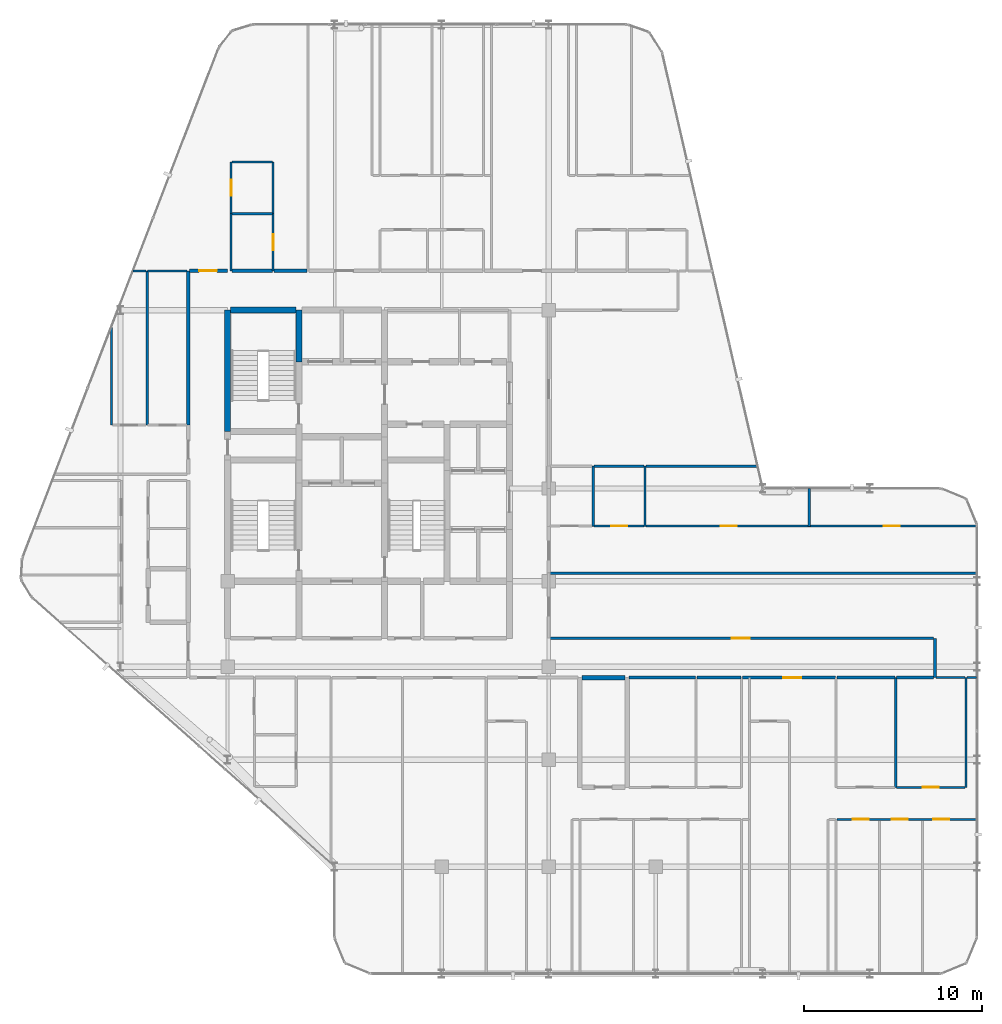
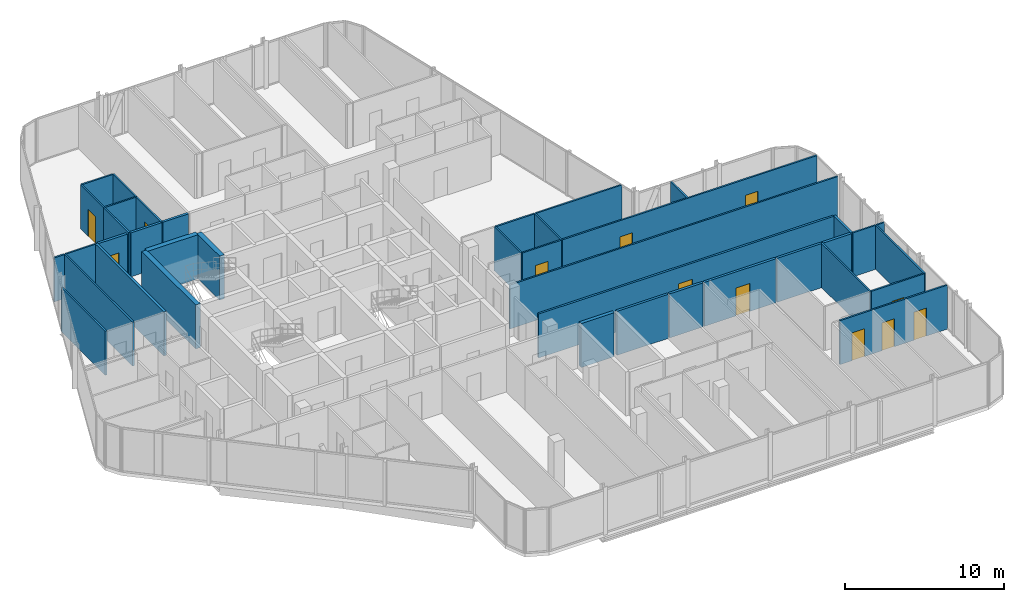
# One storey, part 26 of 29: 39 walls, 12 doors, 12 openings.
"""IFC4 building model written with IfcOpenShell, lengths in metres."""

from ifc_helpers import new_model, si_unit, direction, frame, frame_2d, origin, place, context, subcontext, project, spatial, rectangle, extrude, material, layer, layer_set, type_object, element, fill, save


model = new_model("IFC4")

# Units and contexts
model_context = context("Model", 3, precision=1e-05, world=origin(), true_north=direction((0.0, 1.0)))
body_context = subcontext(model_context, "Body", "Model", "MODEL_VIEW")
ifc_project = project(units=[si_unit("LENGTHUNIT", "METRE"), si_unit("AREAUNIT", "SQUARE_METRE"), si_unit("VOLUMEUNIT", "CUBIC_METRE"), si_unit("PLANEANGLEUNIT", "RADIAN"), si_unit("MASSUNIT", "GRAM", prefix="KILO")], contexts=[model_context])

# Site, building, storey
site_placement = place(None, origin())
site = spatial("IfcSite", under=ifc_project, at=site_placement, CompositionType="ELEMENT")
building_placement = place(site_placement, origin())
building = spatial("IfcBuilding", under=site, at=building_placement, Name="Keshet Zoharim Tower", CompositionType="ELEMENT")
storey_placement = place(building_placement, frame((0.0, 0.0, 210.60009765625)))
storey = spatial("IfcBuildingStorey", under=building, at=storey_placement, Name="L52", CompositionType="ELEMENT", Elevation=210.60009765625)

# Wall
ifc_material_1 = material(Name="Gypsum Plasterboard", Category="gypsum")
ifc_layer_1 = layer(ifc_material_1, 0.14990234375)
ifc_layer_set_1 = layer_set([ifc_layer_1], Name="Gypsum Plasterboard")
wall_type_1 = type_object("IfcWallType", Name="WL-CLIN-150", PredefinedType="STANDARD", material=ifc_layer_set_1)
wall_1_placement = place(storey_placement, frame((54.64990234375, 17.31005859375, 0.0), z_axis=(0.0, 0.0, 1.0), x_axis=(0.0, 1.0, 0.0)))
element("IfcWall", 1, at=wall_1_placement, inside=storey, type_object=wall_type_1, Name="L52 Interior Wall 100", PredefinedType="STANDARD", context=body_context, shape_type="SweptSolid", body=[
    extrude(rectangle(XDim=2.18994140625, YDim=0.14990234375, at=frame_2d((1.094970703125, 0.0))), origin(), (0.0, 0.0, 1.0), 3.389892578125),
])

# Wall, opening, door
wall_2_placement = place(storey_placement, frame((33.070068359375, 19.5, 0.0), z_axis=(0.0, 0.0, 1.0), x_axis=(1.0, 0.0, 0.0)))
wall_2 = element("IfcWall", 2, at=wall_2_placement, inside=storey, type_object=wall_type_1, Name="L52 Interior Wall 135", PredefinedType="STANDARD", context=body_context, shape_type="SweptSolid", body=[
    extrude(rectangle(XDim=21.510009765625, YDim=0.14990234375, at=frame_2d((10.7548828125, 0.0))), origin(), (0.0, 0.0, 1.0), 3.389892578125),
])
opening_1_placement = place(wall_2_placement, frame((10.18505859375, 0.0, 0.0)))
opening_1 = element("IfcOpeningElement", 3, at=opening_1_placement, cuts=wall_2, Name="Opening D-F310", PredefinedType="OPENING", context=body_context, shape_type="SweptSolid", body=[
    extrude(rectangle(XDim=1.0, YDim=2.14990234375, at=frame_2d((0.5, 1.074951171875))), frame((0.0, 0.0849609375, 0.0), z_axis=(0.0, -1.0, 0.0), x_axis=(1.0, 0.0, 0.0)), (0.0, 0.0, 1.0), 0.169921875),
])
ifc_material_2 = material(Name="Hardwood Timber", Category="wood")
door_type_1 = type_object("IfcDoorType", Name="DR-FD30-100", OperationType="NOTDEFINED", PredefinedType="DOOR", material=ifc_material_2)
door_1_placement = place(opening_1_placement, origin())
door_1 = element("IfcDoor", 4, at=door_1_placement, inside=storey, type_object=door_type_1, Name="L52 South East Residents Services Suite Door 1", OperationType="SINGLE_SWING_LEFT", OverallHeight=2.14990234375, OverallWidth=1.0, PredefinedType="DOOR", context=body_context, shape_type="SweptSolid", body=[
    extrude(rectangle(XDim=1.0, YDim=2.14990234375, at=frame_2d((0.5, 1.074951171875))), frame((0.0, 0.02490234375, 0.0), z_axis=(0.0, -1.0, 0.0), x_axis=(1.0, 0.0, 0.0)), (0.0, 0.0, 1.0), 0.050048828125),
])
fill(opening_1, door_1)

# Walls
ifc_material_3 = material(Name="Concrete C60/75", Category="concrete")
ifc_layer_2 = layer(ifc_material_3, 0.35009765625)
ifc_layer_set_2 = layer_set([ifc_layer_2], Name="Concrete C60/75")
wall_type_2 = type_object("IfcWallType", Name="WL-CORE-350", PredefinedType="SHEAR", material=ifc_layer_set_2)
wall_3_placement = place(storey_placement, frame((15.0, 31.10009765625, 0.0), z_axis=(0.0, 0.0, 1.0), x_axis=(0.0, 1.0, 0.0)))
element("IfcWall", 5, at=wall_3_placement, inside=storey, type_object=wall_type_2, Name="L52 Core Shear Wall 016", PredefinedType="SHEAR", context=body_context, shape_type="SweptSolid", body=[
    extrude(rectangle(XDim=6.7998046875, YDim=0.35009765625, at=frame_2d((3.39990234375, 0.0))), origin(), (0.0, 0.0, 1.0), 3.389892578125),
])
wall_4_placement = place(storey_placement, frame((19.0, 35.0, 0.0), z_axis=(0.0, 0.0, 1.0), x_axis=(0.0, 1.0, 0.0)))
element("IfcWall", 6, at=wall_4_placement, inside=storey, type_object=wall_type_2, Name="L52 Core Shear Wall 029", PredefinedType="SHEAR", context=body_context, shape_type="SweptSolid", body=[
    extrude(rectangle(XDim=2.89990234375, YDim=0.35009765625, at=frame_2d((1.449951171875, 0.0))), origin(), (0.0, 0.0, 1.0), 3.389892578125),
])
wall_5_placement = place(storey_placement, frame((15.159912109375, 37.89990234375, 0.0), z_axis=(0.0, 0.0, 1.0), x_axis=(1.0, 0.0, 0.0)))
element("IfcWall", 7, at=wall_5_placement, inside=storey, type_object=wall_type_2, Name="L52 Core Shear Wall 173", PredefinedType="SHEAR", context=body_context, shape_type="SweptSolid", body=[
    extrude(rectangle(XDim=3.68017578125, YDim=0.35009765625, at=frame_2d((1.840087890625, 0.0))), origin(), (0.0, 0.0, 1.0), 3.389892578125),
])
ifc_layer_3 = layer(ifc_material_1, 0.179931640625)
ifc_layer_set_3 = layer_set([ifc_layer_3], Name="Gypsum Plasterboard")
wall_type_3 = type_object("IfcWallType", Name="WL-CORR-180", PredefinedType="STANDARD", material=ifc_layer_set_3)
wall_6_placement = place(storey_placement, frame((12.800048828125, 31.449951171875, 0.0), z_axis=(0.0, 0.0, 1.0), x_axis=(0.0, 1.0, 0.0)))
element("IfcWall", 8, at=wall_6_placement, inside=storey, type_object=wall_type_3, Name="L52 Interior Wall 012", PredefinedType="STANDARD", context=body_context, shape_type="SweptSolid", body=[
    extrude(rectangle(XDim=8.650146484375, YDim=0.179931640625, at=frame_2d((4.3251953125, 0.0))), origin(), (0.0, 0.0, 1.0), 3.389892578125),
])
wall_7_placement = place(storey_placement, frame((37.487060546875, 17.300048828125, 0.0), z_axis=(0.0, 0.0, 1.0), x_axis=(1.0, 0.0, 0.0)))
element("IfcWall", 9, at=wall_7_placement, inside=storey, type_object=wall_type_3, Name="L52 Interior Wall 124", PredefinedType="STANDARD", context=body_context, shape_type="SweptSolid", body=[
    extrude(rectangle(XDim=3.740966796875, YDim=0.179931640625, at=frame_2d((1.87060546875, 0.0))), origin(), (0.0, 0.0, 1.0), 3.389892578125),
])
wall_8_placement = place(storey_placement, frame((41.318115234375, 17.300048828125, 0.0), z_axis=(0.0, 0.0, 1.0), x_axis=(1.0, 0.0, 0.0)))
element("IfcWall", 10, at=wall_8_placement, inside=storey, type_object=wall_type_3, Name="L52 Interior Wall 125", PredefinedType="STANDARD", context=body_context, shape_type="SweptSolid", body=[
    extrude(rectangle(XDim=2.44677734375, YDim=0.179931640625, at=frame_2d((1.223388671875, 0.0))), origin(), (0.0, 0.0, 1.0), 3.389892578125),
])

# Wall, opening, door
wall_9_placement = place(storey_placement, frame((43.85498046875, 17.300048828125, 0.0), z_axis=(0.0, 0.0, 1.0), x_axis=(1.0, 0.0, 0.0)))
wall_9 = element("IfcWall", 11, at=wall_9_placement, inside=storey, type_object=wall_type_3, Name="L52 Interior Wall 126", PredefinedType="STANDARD", context=body_context, shape_type="SweptSolid", body=[
    extrude(rectangle(XDim=5.2099609375, YDim=0.179931640625, at=frame_2d((2.60498046875, 0.0))), origin(), (0.0, 0.0, 1.0), 3.389892578125),
])
opening_2_placement = place(wall_9_placement, frame((2.304931640625, 0.0, 0.0)))
opening_2 = element("IfcOpeningElement", 12, at=opening_2_placement, cuts=wall_9, Name="Opening D-F310", PredefinedType="OPENING", context=body_context, shape_type="SweptSolid", body=[
    extrude(rectangle(XDim=1.0, YDim=2.14990234375, at=frame_2d((0.5, 1.074951171875))), frame((0.0, 0.10009765625, 0.0), z_axis=(0.0, -1.0, 0.0), x_axis=(1.0, 0.0, 0.0)), (0.0, 0.0, 1.0), 0.199951171875),
])
door_2_placement = place(opening_2_placement, origin())
door_2 = element("IfcDoor", 13, at=door_2_placement, inside=storey, type_object=door_type_1, Name="Apartment 5203 Entrance Door", OperationType="SINGLE_SWING_RIGHT", OverallHeight=2.14990234375, OverallWidth=1.0, PredefinedType="DOOR", context=body_context, shape_type="SweptSolid", body=[
    extrude(rectangle(XDim=1.0, YDim=2.14990234375, at=frame_2d((0.5, 1.074951171875))), frame((0.0, 0.02490234375, 0.0), z_axis=(0.0, -1.0, 0.0), x_axis=(1.0, 0.0, 0.0)), (0.0, 0.0, 1.0), 0.050048828125),
])
fill(opening_2, door_2)

# Walls
wall_10_placement = place(storey_placement, frame((49.155029296875, 17.300048828125, 0.0), z_axis=(0.0, 0.0, 1.0), x_axis=(1.0, 0.0, 0.0)))
element("IfcWall", 14, at=wall_10_placement, inside=storey, type_object=wall_type_3, Name="L52 Interior Wall 127", PredefinedType="STANDARD", context=body_context, shape_type="SweptSolid", body=[
    extrude(rectangle(XDim=3.259033203125, YDim=0.179931640625, at=frame_2d((1.62939453125, 0.0))), origin(), (0.0, 0.0, 1.0), 3.389892578125),
])
wall_11_placement = place(storey_placement, frame((52.50390625, 17.300048828125, 0.0), z_axis=(0.0, 0.0, 1.0), x_axis=(1.0, 0.0, 0.0)))
element("IfcWall", 15, at=wall_11_placement, inside=storey, type_object=wall_type_3, Name="L52 Interior Wall 128", PredefinedType="STANDARD", context=body_context, shape_type="SweptSolid", body=[
    extrude(rectangle(XDim=2.076171875, YDim=0.179931640625, at=frame_2d((1.0380859375, 0.0))), origin(), (0.0, 0.0, 1.0), 3.389892578125),
])

# Wall, opening, door
wall_12_placement = place(storey_placement, frame((12.875, 40.10009765625, 0.0), z_axis=(0.0, 0.0, 1.0), x_axis=(1.0, 0.0, 0.0)))
wall_12 = element("IfcWall", 16, at=wall_12_placement, inside=storey, type_object=wall_type_3, Name="L52 Interior Wall 180", PredefinedType="STANDARD", context=body_context, shape_type="SweptSolid", body=[
    extrude(rectangle(XDim=2.125, YDim=0.179931640625, at=frame_2d((1.0625, 0.0))), origin(), (0.0, 0.0, 1.0), 3.389892578125),
])
opening_3_placement = place(wall_12_placement, frame((0.52490234375, 0.0, 0.0)))
opening_3 = element("IfcOpeningElement", 17, at=opening_3_placement, cuts=wall_12, Name="Opening D-F310", PredefinedType="OPENING", context=body_context, shape_type="SweptSolid", body=[
    extrude(rectangle(XDim=1.0, YDim=2.14990234375, at=frame_2d((0.5, 1.074951171875))), frame((0.0, 0.10009765625, 0.0), z_axis=(0.0, -1.0, 0.0), x_axis=(1.0, 0.0, 0.0)), (0.0, 0.0, 1.0), 0.199951171875),
])
door_3_placement = place(opening_3_placement, origin())
door_3 = element("IfcDoor", 18, at=door_3_placement, inside=storey, type_object=door_type_1, Name="Apartment 5204 Entrance Door", OperationType="SINGLE_SWING_LEFT", OverallHeight=2.14990234375, OverallWidth=1.0, PredefinedType="DOOR", context=body_context, shape_type="SweptSolid", body=[
    extrude(rectangle(XDim=1.0, YDim=2.14990234375, at=frame_2d((0.5, 1.074951171875))), frame((0.0, 0.02490234375, 0.0), z_axis=(0.0, -1.0, 0.0), x_axis=(1.0, 0.0, 0.0)), (0.0, 0.0, 1.0), 0.050048828125),
])
fill(opening_3, door_3)

# Walls
wall_13_placement = place(storey_placement, frame((15.2451171875, 40.10009765625, 0.0), z_axis=(0.0, 0.0, 1.0), x_axis=(1.0, 0.0, 0.0)))
element("IfcWall", 19, at=wall_13_placement, inside=storey, type_object=wall_type_3, Name="L52 Interior Wall 181", PredefinedType="STANDARD", context=body_context, shape_type="SweptSolid", body=[
    extrude(rectangle(XDim=2.259765625, YDim=0.179931640625, at=frame_2d((1.1298828125, 0.0))), origin(), (0.0, 0.0, 1.0), 3.389892578125),
])
wall_14_placement = place(storey_placement, frame((17.594970703125, 40.10009765625, 0.0), z_axis=(0.0, 0.0, 1.0), x_axis=(1.0, 0.0, 0.0)))
element("IfcWall", 20, at=wall_14_placement, inside=storey, type_object=wall_type_3, Name="L52 Interior Wall 182", PredefinedType="STANDARD", context=body_context, shape_type="SweptSolid", body=[
    extrude(rectangle(XDim=1.8701171875, YDim=0.179931640625, at=frame_2d((0.93505859375, 0.0))), origin(), (0.0, 0.0, 1.0), 3.389892578125),
])
ifc_material_4 = material(Name="Concrete C50/60", Category="concrete")
ifc_layer_4 = layer(ifc_material_4, 0.25)
ifc_layer_set_4 = layer_set([ifc_layer_4], Name="Concrete C50/60")
wall_type_4 = type_object("IfcWallType", Name="WL-MAMAD-250", PredefinedType="STANDARD", material=ifc_layer_set_4)
wall_15_placement = place(storey_placement, frame((34.860107421875, 17.300048828125, 0.0), z_axis=(0.0, 0.0, 1.0), x_axis=(1.0, 0.0, 0.0)))
element("IfcWall", 21, at=wall_15_placement, inside=storey, type_object=wall_type_4, Name="L52 Interior Wall 123", PredefinedType="STANDARD", context=body_context, shape_type="SweptSolid", body=[
    extrude(rectangle(XDim=2.406982421875, YDim=0.25, at=frame_2d((1.20361328125, 0.0))), origin(), (0.0, 0.0, 1.0), 3.389892578125),
])
ifc_layer_5 = layer(ifc_material_1, 0.1201171875)
ifc_layer_set_5 = layer_set([ifc_layer_5], Name="Gypsum Plasterboard")
wall_type_5 = type_object("IfcWallType", Name="WL-PART-120", PredefinedType="PARTITIONING", material=ifc_layer_set_5)
wall_16_placement = place(storey_placement, frame((8.5, 31.449951171875, 0.0), z_axis=(0.0, 0.0, 1.0), x_axis=(0.0, 1.0, 0.0)))
element("IfcWall", 22, at=wall_16_placement, inside=storey, type_object=wall_type_5, Name="L52 Interior Wall 001", PredefinedType="PARTITIONING", context=body_context, shape_type="SweptSolid", body=[
    extrude(rectangle(XDim=5.5400390625, YDim=0.1201171875, at=frame_2d((2.77001953125, 0.0))), origin(), (0.0, 0.0, 1.0), 3.389892578125),
])
wall_17_placement = place(storey_placement, frame((15.199951171875, 40.10009765625, 0.0), z_axis=(0.0, 0.0, 1.0), x_axis=(0.0, 1.0, 0.0)))
element("IfcWall", 23, at=wall_17_placement, inside=storey, type_object=wall_type_5, Name="L52 Interior Wall 017", PredefinedType="PARTITIONING", context=body_context, shape_type="SweptSolid", body=[
    extrude(rectangle(XDim=3.199951171875, YDim=0.1201171875, at=frame_2d((1.60009765625, 0.0))), origin(), (0.0, 0.0, 1.0), 3.389892578125),
])

# Wall, opening, door
wall_18_placement = place(storey_placement, frame((17.550048828125, 40.10009765625, 0.0), z_axis=(0.0, 0.0, 1.0), x_axis=(0.0, 1.0, 0.0)))
wall_18 = element("IfcWall", 24, at=wall_18_placement, inside=storey, type_object=wall_type_5, Name="L52 Interior Wall 021", PredefinedType="PARTITIONING", context=body_context, shape_type="SweptSolid", body=[
    extrude(rectangle(XDim=3.199951171875, YDim=0.1201171875, at=frame_2d((1.60009765625, 0.0))), origin(), (0.0, 0.0, 1.0), 3.389892578125),
])
opening_4_placement = place(wall_18_placement, frame((1.14990234375, 0.0, 0.0)))
opening_4 = element("IfcOpeningElement", 25, at=opening_4_placement, cuts=wall_18, Name="Opening D-IN90", PredefinedType="OPENING", context=body_context, shape_type="SweptSolid", body=[
    extrude(rectangle(XDim=0.89990234375, YDim=2.14990234375, at=frame_2d((0.449951171875, 1.074951171875))), frame((0.0, 0.070068359375, 0.0), z_axis=(0.0, -1.0, 0.0), x_axis=(1.0, 0.0, 0.0)), (0.0, 0.0, 1.0), 0.14013671875),
])
door_type_2 = type_object("IfcDoorType", Name="DR-INT-090", OperationType="NOTDEFINED", PredefinedType="DOOR", material=ifc_material_2)
door_4_placement = place(opening_4_placement, origin())
door_4 = element("IfcDoor", 26, at=door_4_placement, inside=storey, type_object=door_type_2, Name="Apartment 5204 Kitchenette Door", OperationType="SINGLE_SWING_RIGHT", OverallHeight=2.14990234375, OverallWidth=0.89990234375, PredefinedType="DOOR", context=body_context, shape_type="SweptSolid", body=[
    extrude(rectangle(XDim=0.89990234375, YDim=2.14990234375, at=frame_2d((0.449951171875, 1.074951171875))), frame((0.0, 0.02490234375, 0.0), z_axis=(0.0, -1.0, 0.0), x_axis=(1.0, 0.0, 0.0)), (0.0, 0.0, 1.0), 0.050048828125),
])
fill(opening_4, door_4)

# Wall
wall_19_placement = place(storey_placement, frame((47.60009765625, 25.780029296875, 0.0), z_axis=(0.0, 0.0, 1.0), x_axis=(0.0, 1.0, 0.0)))
element("IfcWall", 27, at=wall_19_placement, inside=storey, type_object=wall_type_5, Name="L52 Interior Wall 093", PredefinedType="PARTITIONING", context=body_context, shape_type="SweptSolid", body=[
    extrude(rectangle(XDim=2.10986328125, YDim=0.1201171875, at=frame_2d((1.054931640625, 0.0))), origin(), (0.0, 0.0, 1.0), 3.389892578125),
])

# Wall, openings, doors
wall_20_placement = place(storey_placement, frame((49.155029296875, 9.35009765625, 0.0), z_axis=(0.0, 0.0, 1.0), x_axis=(1.0, 0.0, 0.0)))
wall_20 = element("IfcWall", 28, at=wall_20_placement, inside=storey, type_object=wall_type_5, Name="L52 Interior Wall 106", PredefinedType="PARTITIONING", context=body_context, shape_type="SweptSolid", body=[
    extrude(rectangle(XDim=7.8349609375, YDim=0.1201171875, at=frame_2d((3.91748046875, 0.0))), origin(), (0.0, 0.0, 1.0), 3.389892578125),
])
opening_5_placement = place(wall_20_placement, frame((0.89306640625, 0.0, 0.0)))
opening_5 = element("IfcOpeningElement", 29, at=opening_5_placement, cuts=wall_20, Name="Opening D-IN90", PredefinedType="OPENING", context=body_context, shape_type="SweptSolid", body=[
    extrude(rectangle(XDim=0.89990234375, YDim=2.14990234375, at=frame_2d((0.449951171875, 1.074951171875))), frame((0.0, 0.070068359375, 0.0), z_axis=(0.0, -1.0, 0.0), x_axis=(1.0, 0.0, 0.0)), (0.0, 0.0, 1.0), 0.14013671875),
])
opening_6_placement = place(wall_20_placement, frame((3.072021484375, 0.0, 0.0)))
opening_6 = element("IfcOpeningElement", 30, at=opening_6_placement, cuts=wall_20, Name="Opening D-IN90", PredefinedType="OPENING", context=body_context, shape_type="SweptSolid", body=[
    extrude(rectangle(XDim=0.89990234375, YDim=2.14990234375, at=frame_2d((0.449951171875, 1.074951171875))), frame((0.0, 0.070068359375, 0.0), z_axis=(0.0, -1.0, 0.0), x_axis=(1.0, 0.0, 0.0)), (0.0, 0.0, 1.0), 0.14013671875),
])
opening_7_placement = place(wall_20_placement, frame((5.39697265625, 0.0, 0.0)))
opening_7 = element("IfcOpeningElement", 31, at=opening_7_placement, cuts=wall_20, Name="Opening D-IN90", PredefinedType="OPENING", context=body_context, shape_type="SweptSolid", body=[
    extrude(rectangle(XDim=0.89990234375, YDim=2.14990234375, at=frame_2d((0.449951171875, 1.074951171875))), frame((0.0, 0.070068359375, 0.0), z_axis=(0.0, -1.0, 0.0), x_axis=(1.0, 0.0, 0.0)), (0.0, 0.0, 1.0), 0.14013671875),
])
door_5_placement = place(opening_5_placement, origin())
door_5 = element("IfcDoor", 32, at=door_5_placement, inside=storey, type_object=door_type_2, Name="Apartment 5203 Bedroom 1 Door", OperationType="SINGLE_SWING_RIGHT", OverallHeight=2.14990234375, OverallWidth=0.89990234375, PredefinedType="DOOR", context=body_context, shape_type="SweptSolid", body=[
    extrude(rectangle(XDim=0.89990234375, YDim=2.14990234375, at=frame_2d((0.449951171875, 1.074951171875))), frame((0.0, 0.02490234375, 0.0), z_axis=(0.0, -1.0, 0.0), x_axis=(1.0, 0.0, 0.0)), (0.0, 0.0, 1.0), 0.050048828125),
])
fill(opening_5, door_5)
door_6_placement = place(opening_6_placement, origin())
door_6 = element("IfcDoor", 33, at=door_6_placement, inside=storey, type_object=door_type_2, Name="Apartment 5203 Bedroom 2 Door", OperationType="SINGLE_SWING_LEFT", OverallHeight=2.14990234375, OverallWidth=0.89990234375, PredefinedType="DOOR", context=body_context, shape_type="SweptSolid", body=[
    extrude(rectangle(XDim=0.89990234375, YDim=2.14990234375, at=frame_2d((0.449951171875, 1.074951171875))), frame((0.0, 0.02490234375, 0.0), z_axis=(0.0, -1.0, 0.0), x_axis=(1.0, 0.0, 0.0)), (0.0, 0.0, 1.0), 0.050048828125),
])
fill(opening_6, door_6)
door_7_placement = place(opening_7_placement, origin())
door_7 = element("IfcDoor", 34, at=door_7_placement, inside=storey, type_object=door_type_2, Name="Apartment 5203 Bedroom 3 Door", OperationType="SINGLE_SWING_RIGHT", OverallHeight=2.14990234375, OverallWidth=0.89990234375, PredefinedType="DOOR", context=body_context, shape_type="SweptSolid", body=[
    extrude(rectangle(XDim=0.89990234375, YDim=2.14990234375, at=frame_2d((0.449951171875, 1.074951171875))), frame((0.0, 0.02490234375, 0.0), z_axis=(0.0, -1.0, 0.0), x_axis=(1.0, 0.0, 0.0)), (0.0, 0.0, 1.0), 0.050048828125),
])
fill(opening_7, door_7)

# Walls
wall_21_placement = place(storey_placement, frame((56.43505859375, 17.300048828125, 0.0), z_axis=(0.0, 0.0, 1.0), x_axis=(1.0, 0.0, 0.0)))
element("IfcWall", 35, at=wall_21_placement, inside=storey, type_object=wall_type_5, Name="L52 Interior Wall 130", PredefinedType="PARTITIONING", context=body_context, shape_type="SweptSolid", body=[
    extrude(rectangle(XDim=0.554931640625, YDim=0.1201171875, at=frame_2d((0.27734375, 0.0))), origin(), (0.0, 0.0, 1.0), 3.389892578125),
])
wall_22_placement = place(storey_placement, frame((33.0849609375, 23.14990234375, 0.0), z_axis=(0.0, 0.0, 1.0), x_axis=(1.0, 0.0, 0.0)))
element("IfcWall", 36, at=wall_22_placement, inside=storey, type_object=wall_type_5, Name="L52 Interior Wall 145", PredefinedType="PARTITIONING", context=body_context, shape_type="SweptSolid", body=[
    extrude(rectangle(XDim=23.905029296875, YDim=0.1201171875, at=frame_2d((11.95263671875, 0.0))), origin(), (0.0, 0.0, 1.0), 3.389892578125),
])

# Wall, openings, doors
wall_23_placement = place(storey_placement, frame((38.445068359375, 25.800048828125, 0.0), z_axis=(0.0, 0.0, 1.0), x_axis=(1.0, 0.0, 0.0)))
wall_23 = element("IfcWall", 37, at=wall_23_placement, inside=storey, type_object=wall_type_5, Name="L52 Interior Wall 152", PredefinedType="PARTITIONING", context=body_context, shape_type="SweptSolid", body=[
    extrude(rectangle(XDim=18.544921875, YDim=0.1201171875, at=frame_2d((9.2724609375, 0.0))), origin(), (0.0, 0.0, 1.0), 3.389892578125),
])
opening_8_placement = place(wall_23_placement, frame((4.18994140625, 0.0, 0.0)))
opening_8 = element("IfcOpeningElement", 38, at=opening_8_placement, cuts=wall_23, Name="Opening D-IN90", PredefinedType="OPENING", context=body_context, shape_type="SweptSolid", body=[
    extrude(rectangle(XDim=0.89990234375, YDim=2.14990234375, at=frame_2d((0.449951171875, 1.074951171875))), frame((0.0, 0.070068359375, 0.0), z_axis=(0.0, -1.0, 0.0), x_axis=(1.0, 0.0, 0.0)), (0.0, 0.0, 1.0), 0.14013671875),
])
opening_9_placement = place(wall_23_placement, frame((13.3349609375, 0.0, 0.0)))
opening_9 = element("IfcOpeningElement", 39, at=opening_9_placement, cuts=wall_23, Name="Opening D-IN90", PredefinedType="OPENING", context=body_context, shape_type="SweptSolid", body=[
    extrude(rectangle(XDim=0.89990234375, YDim=2.14990234375, at=frame_2d((0.449951171875, 1.074951171875))), frame((0.0, 0.070068359375, 0.0), z_axis=(0.0, -1.0, 0.0), x_axis=(1.0, 0.0, 0.0)), (0.0, 0.0, 1.0), 0.14013671875),
])
door_8_placement = place(opening_8_placement, origin())
door_8 = element("IfcDoor", 40, at=door_8_placement, inside=storey, type_object=door_type_2, Name="Apartment 5209 Bedroom 1 Door", OperationType="SINGLE_SWING_LEFT", OverallHeight=2.14990234375, OverallWidth=0.89990234375, PredefinedType="DOOR", context=body_context, shape_type="SweptSolid", body=[
    extrude(rectangle(XDim=0.89990234375, YDim=2.14990234375, at=frame_2d((0.449951171875, 1.074951171875))), frame((0.0, 0.02490234375, 0.0), z_axis=(0.0, -1.0, 0.0), x_axis=(1.0, 0.0, 0.0)), (0.0, 0.0, 1.0), 0.050048828125),
])
fill(opening_8, door_8)
door_9_placement = place(opening_9_placement, origin())
door_9 = element("IfcDoor", 41, at=door_9_placement, inside=storey, type_object=door_type_2, Name="Apartment 5209 Bedroom 2 Door", OperationType="SINGLE_SWING_RIGHT", OverallHeight=2.14990234375, OverallWidth=0.89990234375, PredefinedType="DOOR", context=body_context, shape_type="SweptSolid", body=[
    extrude(rectangle(XDim=0.89990234375, YDim=2.14990234375, at=frame_2d((0.449951171875, 1.074951171875))), frame((0.0, 0.02490234375, 0.0), z_axis=(0.0, -1.0, 0.0), x_axis=(1.0, 0.0, 0.0)), (0.0, 0.0, 1.0), 0.050048828125),
])
fill(opening_9, door_9)

# Walls
wall_24_placement = place(storey_placement, frame((38.445068359375, 29.14990234375, 0.0), z_axis=(0.0, 0.0, 1.0), x_axis=(1.0, 0.0, 0.0)))
element("IfcWall", 42, at=wall_24_placement, inside=storey, type_object=wall_type_5, Name="L52 Interior Wall 161", PredefinedType="PARTITIONING", context=body_context, shape_type="SweptSolid", body=[
    extrude(rectangle(XDim=6.2568359375, YDim=0.1201171875, at=frame_2d((3.12841796875, 0.0))), origin(), (0.0, 0.0, 1.0), 3.389892578125),
])
wall_25_placement = place(storey_placement, frame((9.701904296875, 40.10009765625, 0.0), z_axis=(0.0, 0.0, 1.0), x_axis=(1.0, 0.0, 0.0)))
element("IfcWall", 43, at=wall_25_placement, inside=storey, type_object=wall_type_5, Name="L52 Interior Wall 178", PredefinedType="PARTITIONING", context=body_context, shape_type="SweptSolid", body=[
    extrude(rectangle(XDim=0.731201171875, YDim=0.1201171875, at=frame_2d((0.36572265625, 0.0))), origin(), (0.0, 0.0, 1.0), 3.389892578125),
])
ifc_layer_6 = layer(ifc_material_1, 0.1201171875)
ifc_layer_set_6 = layer_set([ifc_layer_6], Name="Gypsum Plasterboard")
wall_type_6 = type_object("IfcWallType", Name="WL-WET-120", PredefinedType="PARTITIONING", material=ifc_layer_set_6)
wall_26_placement = place(storey_placement, frame((10.5, 31.449951171875, 0.0), z_axis=(0.0, 0.0, 1.0), x_axis=(0.0, 1.0, 0.0)))
element("IfcWall", 44, at=wall_26_placement, inside=storey, type_object=wall_type_6, Name="L52 Interior Wall 003", PredefinedType="PARTITIONING", context=body_context, shape_type="SweptSolid", body=[
    extrude(rectangle(XDim=8.650146484375, YDim=0.1201171875, at=frame_2d((4.3251953125, 0.0))), origin(), (0.0, 0.0, 1.0), 3.389892578125),
])

# Wall, opening, door
wall_27_placement = place(storey_placement, frame((15.199951171875, 43.300048828125, 0.0), z_axis=(0.0, 0.0, 1.0), x_axis=(0.0, 1.0, 0.0)))
wall_27 = element("IfcWall", 45, at=wall_27_placement, inside=storey, type_object=wall_type_6, Name="L52 Interior Wall 018", PredefinedType="PARTITIONING", context=body_context, shape_type="SweptSolid", body=[
    extrude(rectangle(XDim=2.89990234375, YDim=0.1201171875, at=frame_2d((1.449951171875, 0.0))), origin(), (0.0, 0.0, 1.0), 3.389892578125),
])
opening_10_placement = place(wall_27_placement, frame((1.0, 0.0, 0.0)))
opening_10 = element("IfcOpeningElement", 46, at=opening_10_placement, cuts=wall_27, Name="Opening D-WT90", PredefinedType="OPENING", context=body_context, shape_type="SweptSolid", body=[
    extrude(rectangle(XDim=0.89990234375, YDim=2.10009765625, at=frame_2d((0.449951171875, 1.050048828125))), frame((0.0, 0.070068359375, 0.0), z_axis=(0.0, -1.0, 0.0), x_axis=(1.0, 0.0, 0.0)), (0.0, 0.0, 1.0), 0.14013671875),
])
door_type_3 = type_object("IfcDoorType", Name="DR-WET-090", OperationType="NOTDEFINED", PredefinedType="DOOR", material=ifc_material_2)
door_10_placement = place(opening_10_placement, origin())
door_10 = element("IfcDoor", 47, at=door_10_placement, inside=storey, type_object=door_type_3, Name="Apartment 5204 Bathroom Door", OperationType="SINGLE_SWING_RIGHT", OverallHeight=2.10009765625, OverallWidth=0.89990234375, PredefinedType="DOOR", context=body_context, shape_type="SweptSolid", body=[
    extrude(rectangle(XDim=0.89990234375, YDim=2.10009765625, at=frame_2d((0.449951171875, 1.050048828125))), frame((0.0, 0.02490234375, 0.0), z_axis=(0.0, -1.0, 0.0), x_axis=(1.0, 0.0, 0.0)), (0.0, 0.0, 1.0), 0.050048828125),
])
fill(opening_10, door_10)

# Walls
wall_28_placement = place(storey_placement, frame((17.550048828125, 43.300048828125, 0.0), z_axis=(0.0, 0.0, 1.0), x_axis=(0.0, 1.0, 0.0)))
element("IfcWall", 48, at=wall_28_placement, inside=storey, type_object=wall_type_6, Name="L52 Interior Wall 022", PredefinedType="PARTITIONING", context=body_context, shape_type="SweptSolid", body=[
    extrude(rectangle(XDim=2.89990234375, YDim=0.1201171875, at=frame_2d((1.449951171875, 0.0))), origin(), (0.0, 0.0, 1.0), 3.389892578125),
])
for number, where, z_axis, x_axis, name in (
    (49, (35.5, 25.780029296875, 0.0), (0.0, 0.0, 1.0), (0.0, 1.0, 0.0), "L52 Interior Wall 077"),
    (50, (38.39990234375, 25.780029296875, 0.0), (0.0, 0.0, 1.0), (0.0, 1.0, 0.0), "L52 Interior Wall 082"),
):
    element("IfcWall", number, at=place(storey_placement, frame(where, z_axis=z_axis, x_axis=x_axis)), inside=storey, type_object=wall_type_6, Name=name, PredefinedType="PARTITIONING", context=body_context, shape_type="SweptSolid", body=[
        extrude(rectangle(XDim=3.3798828125, YDim=0.1201171875, at=frame_2d((1.68994140625, 0.0))), origin(), (0.0, 0.0, 1.0), 3.389892578125),
    ])
for number, where, z_axis, x_axis, name in (
    (51, (52.449951171875, 11.14990234375, 0.0), (0.0, 0.0, 1.0), (0.0, 1.0, 0.0), "L52 Interior Wall 098"),
    (52, (56.39990234375, 11.14990234375, 0.0), (0.0, 0.0, 1.0), (0.0, 1.0, 0.0), "L52 Interior Wall 101"),
):
    element("IfcWall", number, at=place(storey_placement, frame(where, z_axis=z_axis, x_axis=x_axis)), inside=storey, type_object=wall_type_6, Name=name, PredefinedType="PARTITIONING", context=body_context, shape_type="SweptSolid", body=[
        extrude(rectangle(XDim=6.150146484375, YDim=0.1201171875, at=frame_2d((3.0751953125, 0.0))), origin(), (0.0, 0.0, 1.0), 3.389892578125),
    ])

# Wall, opening, door
wall_29_placement = place(storey_placement, frame((52.50390625, 11.14990234375, 0.0), z_axis=(0.0, 0.0, 1.0), x_axis=(1.0, 0.0, 0.0)))
wall_29 = element("IfcWall", 53, at=wall_29_placement, inside=storey, type_object=wall_type_6, Name="L52 Interior Wall 111", PredefinedType="PARTITIONING", context=body_context, shape_type="SweptSolid", body=[
    extrude(rectangle(XDim=3.841064453125, YDim=0.1201171875, at=frame_2d((1.92041015625, 0.0))), origin(), (0.0, 0.0, 1.0), 3.389892578125),
])
opening_11_placement = place(wall_29_placement, frame((1.470947265625, 0.0, 0.0)))
opening_11 = element("IfcOpeningElement", 54, at=opening_11_placement, cuts=wall_29, Name="Opening D-WT90", PredefinedType="OPENING", context=body_context, shape_type="SweptSolid", body=[
    extrude(rectangle(XDim=0.89990234375, YDim=2.10009765625, at=frame_2d((0.449951171875, 1.050048828125))), frame((0.0, 0.070068359375, 0.0), z_axis=(0.0, -1.0, 0.0), x_axis=(1.0, 0.0, 0.0)), (0.0, 0.0, 1.0), 0.14013671875),
])
door_11_placement = place(opening_11_placement, origin())
door_11 = element("IfcDoor", 55, at=door_11_placement, inside=storey, type_object=door_type_3, Name="Apartment 5203 Bathroom Door", OperationType="SINGLE_SWING_LEFT", OverallHeight=2.10009765625, OverallWidth=0.89990234375, PredefinedType="DOOR", context=body_context, shape_type="SweptSolid", body=[
    extrude(rectangle(XDim=0.89990234375, YDim=2.10009765625, at=frame_2d((0.449951171875, 1.050048828125))), frame((0.0, 0.02490234375, 0.0), z_axis=(0.0, -1.0, 0.0), x_axis=(1.0, 0.0, 0.0)), (0.0, 0.0, 1.0), 0.050048828125),
])
fill(opening_11, door_11)

# Wall
wall_30_placement = place(storey_placement, frame((54.7099609375, 17.300048828125, 0.0), z_axis=(0.0, 0.0, 1.0), x_axis=(1.0, 0.0, 0.0)))
element("IfcWall", 56, at=wall_30_placement, inside=storey, type_object=wall_type_6, Name="L52 Interior Wall 129", PredefinedType="PARTITIONING", context=body_context, shape_type="SweptSolid", body=[
    extrude(rectangle(XDim=1.635009765625, YDim=0.1201171875, at=frame_2d((0.8173828125, 0.0))), origin(), (0.0, 0.0, 1.0), 3.389892578125),
])

# Wall, opening, door
wall_31_placement = place(storey_placement, frame((35.529052734375, 25.800048828125, 0.0), z_axis=(0.0, 0.0, 1.0), x_axis=(1.0, 0.0, 0.0)))
wall_31 = element("IfcWall", 57, at=wall_31_placement, inside=storey, type_object=wall_type_6, Name="L52 Interior Wall 151", PredefinedType="PARTITIONING", context=body_context, shape_type="SweptSolid", body=[
    extrude(rectangle(XDim=2.825927734375, YDim=0.1201171875, at=frame_2d((1.4130859375, 0.0))), origin(), (0.0, 0.0, 1.0), 3.389892578125),
])
opening_12_placement = place(wall_31_placement, frame((0.962890625, 0.0, 0.0)))
opening_12 = element("IfcOpeningElement", 58, at=opening_12_placement, cuts=wall_31, Name="Opening D-WT90", PredefinedType="OPENING", context=body_context, shape_type="SweptSolid", body=[
    extrude(rectangle(XDim=0.89990234375, YDim=2.10009765625, at=frame_2d((0.449951171875, 1.050048828125))), frame((0.0, 0.070068359375, 0.0), z_axis=(0.0, -1.0, 0.0), x_axis=(1.0, 0.0, 0.0)), (0.0, 0.0, 1.0), 0.14013671875),
])
door_12_placement = place(opening_12_placement, origin())
door_12 = element("IfcDoor", 59, at=door_12_placement, inside=storey, type_object=door_type_3, Name="Apartment 5209 Bathroom Door", OperationType="SINGLE_SWING_RIGHT", OverallHeight=2.10009765625, OverallWidth=0.89990234375, PredefinedType="DOOR", context=body_context, shape_type="SweptSolid", body=[
    extrude(rectangle(XDim=0.89990234375, YDim=2.10009765625, at=frame_2d((0.449951171875, 1.050048828125))), frame((0.0, 0.02490234375, 0.0), z_axis=(0.0, -1.0, 0.0), x_axis=(1.0, 0.0, 0.0)), (0.0, 0.0, 1.0), 0.050048828125),
])
fill(opening_12, door_12)

# Walls
wall_32_placement = place(storey_placement, frame((35.529052734375, 29.14990234375, 0.0), z_axis=(0.0, 0.0, 1.0), x_axis=(1.0, 0.0, 0.0)))
element("IfcWall", 60, at=wall_32_placement, inside=storey, type_object=wall_type_6, Name="L52 Interior Wall 160", PredefinedType="PARTITIONING", context=body_context, shape_type="SweptSolid", body=[
    extrude(rectangle(XDim=2.825927734375, YDim=0.1201171875, at=frame_2d((1.4130859375, 0.0))), origin(), (0.0, 0.0, 1.0), 3.389892578125),
])
wall_33_placement = place(storey_placement, frame((10.52294921875, 40.10009765625, 0.0), z_axis=(0.0, 0.0, 1.0), x_axis=(1.0, 0.0, 0.0)))
element("IfcWall", 61, at=wall_33_placement, inside=storey, type_object=wall_type_6, Name="L52 Interior Wall 179", PredefinedType="PARTITIONING", context=body_context, shape_type="SweptSolid", body=[
    extrude(rectangle(XDim=2.2021484375, YDim=0.1201171875, at=frame_2d((1.10107421875, 0.0))), origin(), (0.0, 0.0, 1.0), 3.389892578125),
])
for number, where, z_axis, x_axis, name in (
    (62, (15.2451171875, 43.300048828125, 0.0), (0.0, 0.0, 1.0), (1.0, 0.0, 0.0), "L52 Interior Wall 196"),
    (63, (15.2451171875, 46.199951171875, 0.0), (0.0, 0.0, 1.0), (1.0, 0.0, 0.0), "L52 Interior Wall 202"),
):
    element("IfcWall", number, at=place(storey_placement, frame(where, z_axis=z_axis, x_axis=x_axis)), inside=storey, type_object=wall_type_6, Name=name, PredefinedType="PARTITIONING", context=body_context, shape_type="SweptSolid", body=[
        extrude(rectangle(XDim=2.259765625, YDim=0.1201171875, at=frame_2d((1.1298828125, 0.0))), origin(), (0.0, 0.0, 1.0), 3.389892578125),
    ])

save(model, "model.ifc")
